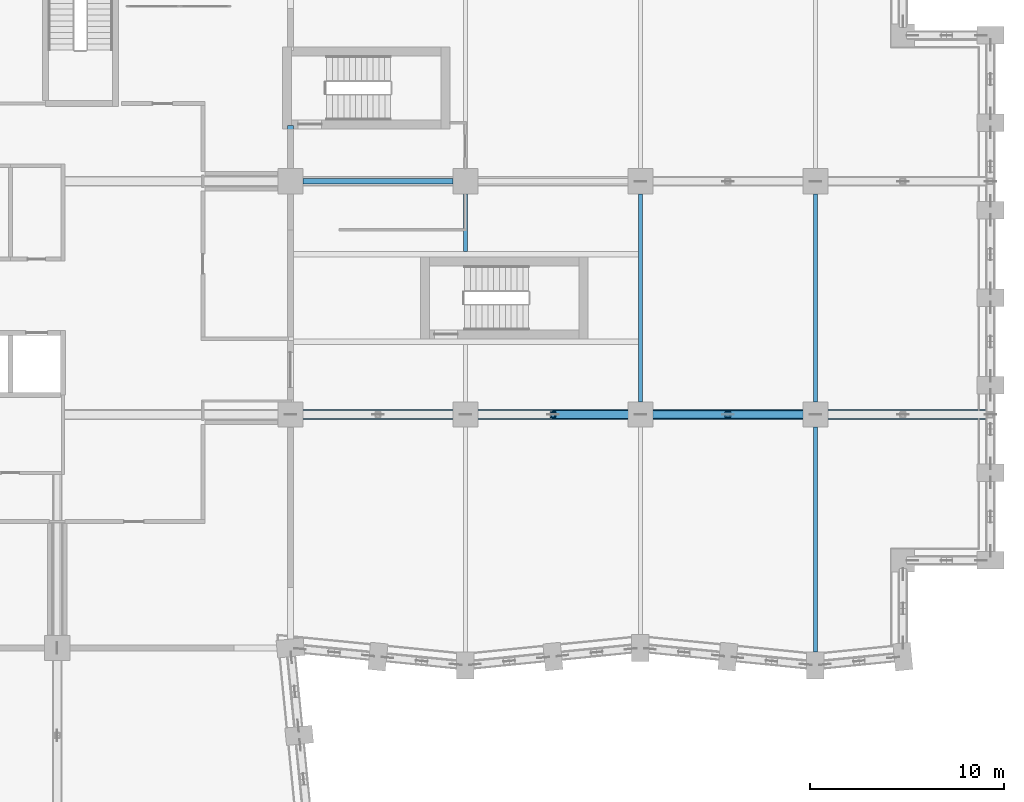
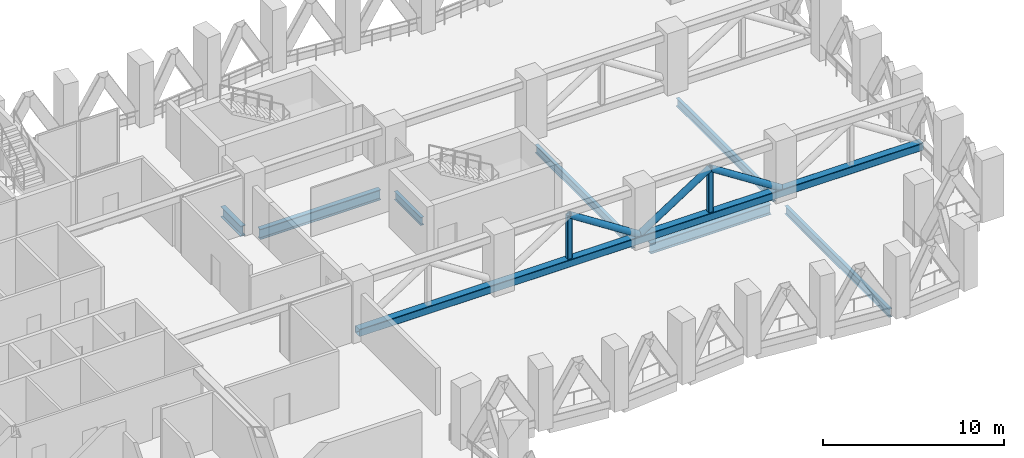
# One storey, part 9 of 25: 7 beams, 6 members.
"""IFC4 building model written with IfcOpenShell, lengths in metres."""

from ifc_helpers import new_model, si_unit, direction, frame, origin, origin_2d, place, context, subcontext, project, spatial, hollow_rectangle, hollow_circle, i_section, extrude, material, material_profile, profile_set, type_object, element, save


model = new_model("IFC4")

# Units and contexts
model_context = context("Model", 3, precision=1e-05, world=origin(), true_north=direction((0.0, 1.0)))
body_context = subcontext(model_context, "Body", "Model", "MODEL_VIEW")
ifc_project = project(units=[si_unit("LENGTHUNIT", "METRE"), si_unit("AREAUNIT", "SQUARE_METRE"), si_unit("VOLUMEUNIT", "CUBIC_METRE"), si_unit("PLANEANGLEUNIT", "RADIAN"), si_unit("MASSUNIT", "GRAM", prefix="KILO")], contexts=[model_context])

# Site, building, storey
site_placement = place(None, origin())
site = spatial("IfcSite", under=ifc_project, at=site_placement, CompositionType="ELEMENT")
building_placement = place(site_placement, origin())
building = spatial("IfcBuilding", under=site, at=building_placement, Name="Brondeck Convention Tower", CompositionType="ELEMENT")
storey_placement = place(building_placement, frame((0.0, 0.0, 84.300048828125)))
storey = spatial("IfcBuildingStorey", under=building, at=storey_placement, Name="L19", CompositionType="ELEMENT", Elevation=84.300048828125)

# Beams
ifc_material_1 = material(Name="Steel S355", Category="steel")
ifc_material_profile_1 = material_profile(ifc_material_1, i_section(OverallWidth=0.2099609375, OverallDepth=0.550048828125, WebThickness=0.010986328125, FlangeThickness=0.01708984375, FilletRadius=0.02392578125, at=origin_2d()), Name="IPE 550")
ifc_profile_set_1 = profile_set([ifc_material_profile_1], Name="Steel S355")
beam_type_1 = type_object("IfcBeamType", Name="Floor beam IPE 550", PredefinedType="BEAM", material=ifc_profile_set_1)
beam_1_placement = place(storey_placement, frame((54.0, 39.64990234375, -0.574951171875), z_axis=(0.0, 1.0, 0.0), x_axis=(-1.0, 0.0, 0.0)))
element("IfcBeam", 1, at=beam_1_placement, inside=storey, type_object=beam_type_1, Name="STR-FB-L19-004", PredefinedType="BEAM", context=body_context, shape_type="SweptSolid", body=[
    extrude(i_section(OverallWidth=0.2099609375, OverallDepth=0.550048828125, WebThickness=0.010986328125, FlangeThickness=0.01708984375, FilletRadius=0.02392578125, at=origin_2d()), origin(), (0.0, 0.0, 1.0), 10.7001953125),
])
beam_2_placement = place(storey_placement, frame((63.0, 26.800048828125, -0.574951171875), z_axis=(0.0, 1.0, 0.0), x_axis=(-1.0, 0.0, 0.0)))
element("IfcBeam", 2, at=beam_2_placement, inside=storey, type_object=beam_type_1, Name="STR-FB-L19-006", PredefinedType="BEAM", context=body_context, shape_type="SweptSolid", body=[
    extrude(i_section(OverallWidth=0.2099609375, OverallDepth=0.550048828125, WebThickness=0.010986328125, FlangeThickness=0.01708984375, FilletRadius=0.02392578125, at=origin_2d()), origin(), (0.0, 0.0, 1.0), 11.550048828125),
])
beam_3_placement = place(storey_placement, frame((63.0, 39.64990234375, -0.574951171875), z_axis=(0.0, 1.0, 0.0), x_axis=(-1.0, 0.0, 0.0)))
element("IfcBeam", 3, at=beam_3_placement, inside=storey, type_object=beam_type_1, Name="STR-FB-L19-007", PredefinedType="BEAM", context=body_context, shape_type="SweptSolid", body=[
    extrude(i_section(OverallWidth=0.2099609375, OverallDepth=0.550048828125, WebThickness=0.010986328125, FlangeThickness=0.01708984375, FilletRadius=0.02392578125, at=origin_2d()), origin(), (0.0, 0.0, 1.0), 10.7001953125),
])
beam_4_placement = place(storey_placement, frame((45.0, 47.39990234375, -0.574951171875), z_axis=(0.0, 1.0, 0.0), x_axis=(-1.0, 0.0, 0.0)))
element("IfcBeam", 4, at=beam_4_placement, inside=storey, type_object=beam_type_1, Name="STR-FB-L19-015", PredefinedType="BEAM", context=body_context, shape_type="SweptSolid", body=[
    extrude(i_section(OverallWidth=0.2099609375, OverallDepth=0.550048828125, WebThickness=0.010986328125, FlangeThickness=0.01708984375, FilletRadius=0.02392578125, at=origin_2d()), origin(), (0.0, 0.0, 1.0), 2.9501953125),
])
ifc_material_profile_2 = material_profile(ifc_material_1, i_section(OverallWidth=0.300048828125, OverallDepth=0.699951171875, WebThickness=0.01708984375, FlangeThickness=0.031982421875, FilletRadius=0.027099609375, at=origin_2d()), Name="HEB 700")
ifc_profile_set_2 = profile_set([ifc_material_profile_2], Name="Steel S355")
beam_type_2 = type_object("IfcBeamType", Name="Girder HEB 700", PredefinedType="BEAM", material=ifc_profile_set_2)
for number, where, z_axis, x_axis, name in (
    (5, (54.64990234375, 39.0, -0.650146484375), (1.0, 0.0, 0.0), (0.0, 1.0, 0.0), "STR-GR-L19-003"),
    (6, (36.64990234375, 51.0, -0.650146484375), (1.0, 0.0, 0.0), (0.0, 1.0, 0.0), "STR-GR-L19-005"),
):
    element("IfcBeam", number, at=place(storey_placement, frame(where, z_axis=z_axis, x_axis=x_axis)), inside=storey, type_object=beam_type_2, Name=name, PredefinedType="BEAM", context=body_context, shape_type="SweptSolid", body=[
        extrude(i_section(OverallWidth=0.300048828125, OverallDepth=0.699951171875, WebThickness=0.01708984375, FlangeThickness=0.031982421875, FilletRadius=0.027099609375, at=origin_2d()), origin(), (0.0, 0.0, 1.0), 7.7001953125),
    ])
beam_5_placement = place(storey_placement, frame((36.0, 51.64990234375, -0.650146484375), z_axis=(0.0, 1.0, 0.0), x_axis=(-1.0, 0.0, 0.0)))
element("IfcBeam", 7, at=beam_5_placement, inside=storey, type_object=beam_type_2, Name="STR-GR-L19-011", PredefinedType="BEAM", context=body_context, shape_type="SweptSolid", body=[
    extrude(i_section(OverallWidth=0.300048828125, OverallDepth=0.699951171875, WebThickness=0.01708984375, FlangeThickness=0.031982421875, FilletRadius=0.027099609375, at=origin_2d()), origin(), (0.0, 0.0, 1.0), 2.22998046875),
])

# Members
ifc_material_2 = material(Name="Steel S460", Category="steel")
ifc_material_profile_3 = material_profile(ifc_material_2, hollow_rectangle(XDim=0.5, YDim=0.5, WallThickness=0.02490234375, InnerFilletRadius=0.02490234375, OuterFilletRadius=0.050048828125, at=origin_2d()), Name="RHS 500x500x25")
ifc_profile_set_3 = profile_set([ifc_material_profile_3], Name="Steel S460")
member_type_1 = type_object("IfcMemberType", Name="Truss chord RHS 500x500x25", PredefinedType="CHORD", material=ifc_profile_set_3)
member_placement = place(storey_placement, frame((36.0, 39.0, 0.25), z_axis=(1.0, 0.0, 0.0), x_axis=(0.0, 1.0, 0.0)))
element("IfcMember", 8, at=member_placement, inside=storey, type_object=member_type_1, Name="Outrigger truss OT-19-A1 chord", PredefinedType="CHORD", context=body_context, shape_type="SweptSolid", body=[
    extrude(hollow_rectangle(XDim=0.5, YDim=0.5, WallThickness=0.02490234375, InnerFilletRadius=0.02490234375, OuterFilletRadius=0.050048828125, at=origin_2d()), origin(), (0.0, 0.0, 1.0), 36.0),
])
ifc_material_profile_4 = material_profile(ifc_material_2, hollow_circle(Radius=0.203125, WallThickness=0.02490234375, at=origin_2d()), Name="CHS 406.4x25")
ifc_profile_set_4 = profile_set([ifc_material_profile_4], Name="Steel S460")
member_type_2 = type_object("IfcMemberType", Name="Truss diagonal CHS 406.4x25", PredefinedType="BRACE", material=ifc_profile_set_4)
for number, where, z_axis, x_axis, name in (
    (9, (49.5, 39.0, 3.39990234375), (0.84057934116, 0.0, -0.541688444786), (0.0, 1.0, 0.0), "Outrigger truss OT-19-A1 diagonal"),
    (10, (54.0, 39.0, 0.5), (0.84057934116, 0.0, 0.541688444786), (0.0, 1.0, 0.0), "Outrigger truss OT-19-A1 diagonal"),
    (11, (58.5, 39.0, 3.39990234375), (0.84057934116, 0.0, -0.541688444786), (0.0, 1.0, 0.0), "Outrigger truss OT-19-A1 diagonal"),
):
    element("IfcMember", number, at=place(storey_placement, frame(where, z_axis=z_axis, x_axis=x_axis)), inside=storey, type_object=member_type_2, Name=name, PredefinedType="BRACE", context=body_context, shape_type="SweptSolid", body=[
        extrude(hollow_circle(Radius=0.203125, WallThickness=0.02490234375, at=origin_2d()), origin(), (0.0, 0.0, 1.0), 5.353515625),
    ])
ifc_material_profile_5 = material_profile(ifc_material_2, hollow_rectangle(XDim=0.300048828125, YDim=0.300048828125, WallThickness=0.01611328125, InnerFilletRadius=0.01611328125, OuterFilletRadius=0.031982421875, at=origin_2d()), Name="RHS 300x300x16")
ifc_profile_set_5 = profile_set([ifc_material_profile_5], Name="Steel S460")
member_type_3 = type_object("IfcMemberType", Name="Truss vertical RHS 300x300x16", PredefinedType="STRUT", material=ifc_profile_set_5)
for number, where, z_axis, x_axis, name in (
    (12, (49.5, 39.0, 0.5), (0.0, 0.0, 1.0), (1.0, 0.0, 0.0), "Outrigger truss OT-19-A1 vertical"),
    (13, (58.5, 39.0, 0.5), (0.0, 0.0, 1.0), (1.0, 0.0, 0.0), "Outrigger truss OT-19-A1 vertical"),
):
    element("IfcMember", number, at=place(storey_placement, frame(where, z_axis=z_axis, x_axis=x_axis)), inside=storey, type_object=member_type_3, Name=name, PredefinedType="STRUT", context=body_context, shape_type="SweptSolid", body=[
        extrude(hollow_rectangle(XDim=0.300048828125, YDim=0.300048828125, WallThickness=0.01611328125, InnerFilletRadius=0.01611328125, OuterFilletRadius=0.031982421875, at=origin_2d()), origin(), (0.0, 0.0, 1.0), 2.89990234375),
    ])

save(model, "model.ifc")
